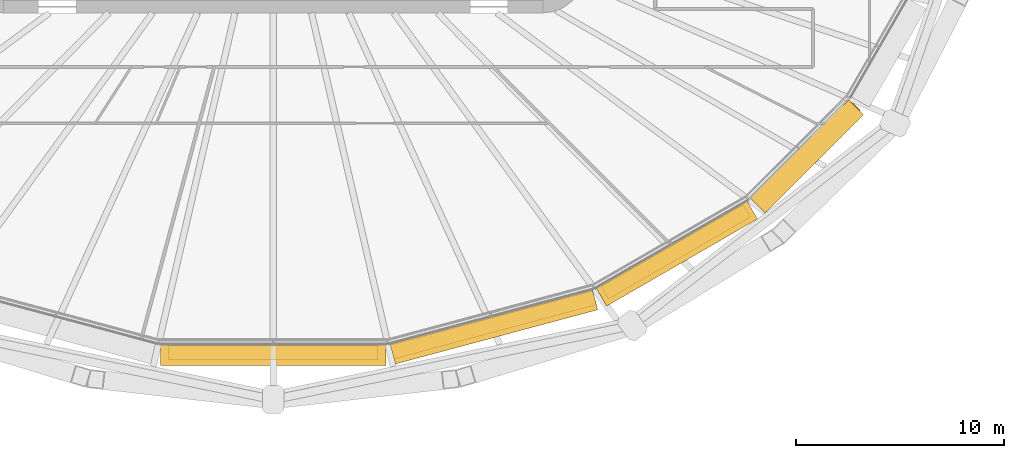
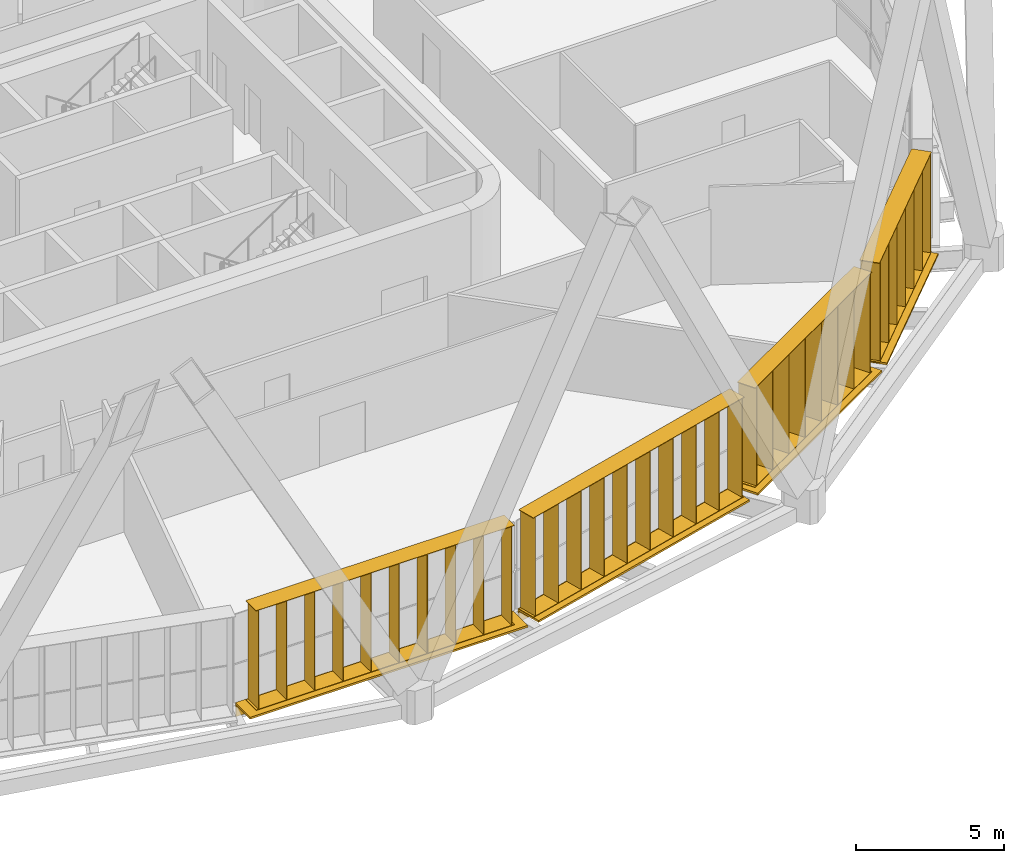
# One storey, part 22 of 25: 8 shading devices.
"""IFC4 building model written with IfcOpenShell, lengths in metres."""

from ifc_helpers import new_model, si_unit, direction, frame, origin, origin_2d, place, context, subcontext, project, spatial, rectangle, extrude, material, type_object, element, save


model = new_model("IFC4")

# Units and contexts
model_context = context("Model", 3, precision=1e-05, world=origin(), true_north=direction((0.0, 1.0)))
body_context = subcontext(model_context, "Body", "Model", "MODEL_VIEW")
ifc_project = project(units=[si_unit("LENGTHUNIT", "METRE"), si_unit("AREAUNIT", "SQUARE_METRE"), si_unit("VOLUMEUNIT", "CUBIC_METRE"), si_unit("PLANEANGLEUNIT", "RADIAN"), si_unit("MASSUNIT", "GRAM", prefix="KILO")], contexts=[model_context])

# Site, building, storey
site_placement = place(None, origin())
site = spatial("IfcSite", under=ifc_project, at=site_placement, CompositionType="ELEMENT")
building_placement = place(site_placement, origin())
building = spatial("IfcBuilding", under=site, at=building_placement, Name="Sahrelin Media Tower", CompositionType="ELEMENT")
storey_placement = place(building_placement, frame((0.0, 0.0, 114.60009765625)))
storey = spatial("IfcBuildingStorey", under=building, at=storey_placement, Name="L22", CompositionType="ELEMENT", Elevation=114.60009765625)

# Shading devices
ifc_material = material(Name="Champagne anodised aluminium 6063-T6", Category="aluminium")
shading_device_type_1 = type_object("IfcShadingDeviceType", Name="Fin cassette", PredefinedType="USERDEFINED", material=ifc_material)
placement_1 = place(storey_placement, frame((0.0, -23.955078125, 0.0), z_axis=(0.0, 0.0, 1.0), x_axis=(-1.0, 0.0, 0.0)))
element("IfcShadingDevice", 1, at=placement_1, inside=storey, type_object=shading_device_type_1, Name="L22:FIN:L22-18", ObjectType="FIN", PredefinedType="USERDEFINED", context=body_context, shape_type="SweptSolid", body=[
    extrude(rectangle(XDim=10.10009765625, YDim=0.699951171875, at=origin_2d()), frame((0.0, 0.419921875, 0.0)), (0.0, 0.0, 1.0), 0.02001953125),
    extrude(rectangle(XDim=10.10009765625, YDim=0.699951171875, at=origin_2d()), frame((0.0, 0.419921875, 4.10009765625)), (0.0, 0.0, 1.0), 0.02001953125),
    extrude(rectangle(XDim=0.02001953125, YDim=0.699951171875, at=origin_2d()), frame((-4.949951171875, 0.419921875, 0.010009765625), z_axis=(0.0, 0.0, 1.0), x_axis=(1.0, 0.0, 0.0)), (0.0, 0.0, 1.0), 4.10009765625),
    extrude(rectangle(XDim=0.02001953125, YDim=0.699951171875, at=origin_2d()), frame((-3.85009765625, 0.419921875, 0.010009765625), z_axis=(0.0, 0.0, 1.0), x_axis=(1.0, 0.0, 0.0)), (0.0, 0.0, 1.0), 4.10009765625),
    extrude(rectangle(XDim=0.02001953125, YDim=0.699951171875, at=origin_2d()), frame((-2.75, 0.419921875, 0.010009765625), z_axis=(0.0, 0.0, 1.0), x_axis=(1.0, 0.0, 0.0)), (0.0, 0.0, 1.0), 4.10009765625),
    extrude(rectangle(XDim=0.02001953125, YDim=0.699951171875, at=origin_2d()), frame((-1.64990234375, 0.419921875, 0.010009765625), z_axis=(0.0, 0.0, 1.0), x_axis=(1.0, 0.0, 0.0)), (0.0, 0.0, 1.0), 4.10009765625),
    extrude(rectangle(XDim=0.02001953125, YDim=0.699951171875, at=origin_2d()), frame((-0.550048828125, 0.419921875, 0.010009765625), z_axis=(0.0, 0.0, 1.0), x_axis=(1.0, 0.0, 0.0)), (0.0, 0.0, 1.0), 4.10009765625),
    extrude(rectangle(XDim=0.02001953125, YDim=0.699951171875, at=origin_2d()), frame((0.550048828125, 0.419921875, 0.010009765625), z_axis=(0.0, 0.0, 1.0), x_axis=(1.0, 0.0, 0.0)), (0.0, 0.0, 1.0), 4.10009765625),
    extrude(rectangle(XDim=0.02001953125, YDim=0.699951171875, at=origin_2d()), frame((1.64990234375, 0.419921875, 0.010009765625), z_axis=(0.0, 0.0, 1.0), x_axis=(1.0, 0.0, 0.0)), (0.0, 0.0, 1.0), 4.10009765625),
    extrude(rectangle(XDim=0.02001953125, YDim=0.699951171875, at=origin_2d()), frame((2.75, 0.419921875, 0.010009765625), z_axis=(0.0, 0.0, 1.0), x_axis=(1.0, 0.0, 0.0)), (0.0, 0.0, 1.0), 4.10009765625),
    extrude(rectangle(XDim=0.02001953125, YDim=0.699951171875, at=origin_2d()), frame((3.85009765625, 0.419921875, 0.010009765625), z_axis=(0.0, 0.0, 1.0), x_axis=(1.0, 0.0, 0.0)), (0.0, 0.0, 1.0), 4.10009765625),
    extrude(rectangle(XDim=0.02001953125, YDim=0.699951171875, at=origin_2d()), frame((4.949951171875, 0.419921875, 0.010009765625), z_axis=(0.0, 0.0, 1.0), x_axis=(1.0, 0.0, 0.0)), (0.0, 0.0, 1.0), 4.10009765625),
])
placement_2 = place(storey_placement, frame((10.498046875, -22.622802734375, 0.0), z_axis=(0.0, 0.0, 1.0), x_axis=(-0.965928857556, -0.258807731996, 0.0)))
element("IfcShadingDevice", 2, at=placement_2, inside=storey, type_object=shading_device_type_1, Name="L22:FIN:L22-19", ObjectType="FIN", PredefinedType="USERDEFINED", context=body_context, shape_type="SweptSolid", body=[
    extrude(rectangle(XDim=10.10009765625, YDim=0.699951171875, at=origin_2d()), frame((0.0, 0.419921875, 0.0)), (0.0, 0.0, 1.0), 0.02001953125),
    extrude(rectangle(XDim=10.10009765625, YDim=0.699951171875, at=origin_2d()), frame((0.0, 0.419921875, 4.10009765625)), (0.0, 0.0, 1.0), 0.02001953125),
    extrude(rectangle(XDim=0.02001953125, YDim=0.699951171875, at=origin_2d()), frame((-4.949951171875, 0.419921875, 0.010009765625), z_axis=(0.0, 0.0, 1.0), x_axis=(1.0, 0.0, 0.0)), (0.0, 0.0, 1.0), 4.10009765625),
    extrude(rectangle(XDim=0.02001953125, YDim=0.699951171875, at=origin_2d()), frame((-3.85009765625, 0.419921875, 0.010009765625), z_axis=(0.0, 0.0, 1.0), x_axis=(1.0, 0.0, 0.0)), (0.0, 0.0, 1.0), 4.10009765625),
    extrude(rectangle(XDim=0.02001953125, YDim=0.699951171875, at=origin_2d()), frame((-2.75, 0.419921875, 0.010009765625), z_axis=(0.0, 0.0, 1.0), x_axis=(1.0, 0.0, 0.0)), (0.0, 0.0, 1.0), 4.10009765625),
    extrude(rectangle(XDim=0.02001953125, YDim=0.699951171875, at=origin_2d()), frame((-1.64990234375, 0.419921875, 0.010009765625), z_axis=(0.0, 0.0, 1.0), x_axis=(1.0, 0.0, 0.0)), (0.0, 0.0, 1.0), 4.10009765625),
    extrude(rectangle(XDim=0.02001953125, YDim=0.699951171875, at=origin_2d()), frame((-0.550048828125, 0.419921875, 0.010009765625), z_axis=(0.0, 0.0, 1.0), x_axis=(1.0, 0.0, 0.0)), (0.0, 0.0, 1.0), 4.10009765625),
    extrude(rectangle(XDim=0.02001953125, YDim=0.699951171875, at=origin_2d()), frame((0.550048828125, 0.419921875, 0.010009765625), z_axis=(0.0, 0.0, 1.0), x_axis=(1.0, 0.0, 0.0)), (0.0, 0.0, 1.0), 4.10009765625),
    extrude(rectangle(XDim=0.02001953125, YDim=0.699951171875, at=origin_2d()), frame((1.64990234375, 0.419921875, 0.010009765625), z_axis=(0.0, 0.0, 1.0), x_axis=(1.0, 0.0, 0.0)), (0.0, 0.0, 1.0), 4.10009765625),
    extrude(rectangle(XDim=0.02001953125, YDim=0.699951171875, at=origin_2d()), frame((2.75, 0.419921875, 0.010009765625), z_axis=(0.0, 0.0, 1.0), x_axis=(1.0, 0.0, 0.0)), (0.0, 0.0, 1.0), 4.10009765625),
    extrude(rectangle(XDim=0.02001953125, YDim=0.699951171875, at=origin_2d()), frame((3.85009765625, 0.419921875, 0.010009765625), z_axis=(0.0, 0.0, 1.0), x_axis=(1.0, 0.0, 0.0)), (0.0, 0.0, 1.0), 4.10009765625),
    extrude(rectangle(XDim=0.02001953125, YDim=0.699951171875, at=origin_2d()), frame((4.949951171875, 0.419921875, 0.010009765625), z_axis=(0.0, 0.0, 1.0), x_axis=(1.0, 0.0, 0.0)), (0.0, 0.0, 1.0), 4.10009765625),
])
placement_3 = place(storey_placement, frame((19.190673828125, -19.142578125, 0.0), z_axis=(0.0, 0.0, 1.0), x_axis=(-0.866019052629, -0.500011000363, 0.0)))
element("IfcShadingDevice", 3, at=placement_3, inside=storey, type_object=shading_device_type_1, Name="L22:FIN:L22-20", ObjectType="FIN", PredefinedType="USERDEFINED", context=body_context, shape_type="SweptSolid", body=[
    extrude(rectangle(XDim=7.89990234375, YDim=0.699951171875, at=origin_2d()), frame((0.0, 0.419921875, 0.0)), (0.0, 0.0, 1.0), 0.02001953125),
    extrude(rectangle(XDim=7.89990234375, YDim=0.699951171875, at=origin_2d()), frame((0.0, 0.419921875, 4.10009765625)), (0.0, 0.0, 1.0), 0.02001953125),
    extrude(rectangle(XDim=0.02001953125, YDim=0.699951171875, at=origin_2d()), frame((-3.85009765625, 0.419921875, 0.010009765625), z_axis=(0.0, 0.0, 1.0), x_axis=(1.0, 0.0, 0.0)), (0.0, 0.0, 1.0), 4.10009765625),
    extrude(rectangle(XDim=0.02001953125, YDim=0.699951171875, at=origin_2d()), frame((-2.75, 0.419921875, 0.010009765625), z_axis=(0.0, 0.0, 1.0), x_axis=(1.0, 0.0, 0.0)), (0.0, 0.0, 1.0), 4.10009765625),
    extrude(rectangle(XDim=0.02001953125, YDim=0.699951171875, at=origin_2d()), frame((-1.64990234375, 0.419921875, 0.010009765625), z_axis=(0.0, 0.0, 1.0), x_axis=(1.0, 0.0, 0.0)), (0.0, 0.0, 1.0), 4.10009765625),
    extrude(rectangle(XDim=0.02001953125, YDim=0.699951171875, at=origin_2d()), frame((-0.550048828125, 0.419921875, 0.010009765625), z_axis=(0.0, 0.0, 1.0), x_axis=(1.0, 0.0, 0.0)), (0.0, 0.0, 1.0), 4.10009765625),
    extrude(rectangle(XDim=0.02001953125, YDim=0.699951171875, at=origin_2d()), frame((0.550048828125, 0.419921875, 0.010009765625), z_axis=(0.0, 0.0, 1.0), x_axis=(1.0, 0.0, 0.0)), (0.0, 0.0, 1.0), 4.10009765625),
    extrude(rectangle(XDim=0.02001953125, YDim=0.699951171875, at=origin_2d()), frame((1.64990234375, 0.419921875, 0.010009765625), z_axis=(0.0, 0.0, 1.0), x_axis=(1.0, 0.0, 0.0)), (0.0, 0.0, 1.0), 4.10009765625),
    extrude(rectangle(XDim=0.02001953125, YDim=0.699951171875, at=origin_2d()), frame((2.75, 0.419921875, 0.010009765625), z_axis=(0.0, 0.0, 1.0), x_axis=(1.0, 0.0, 0.0)), (0.0, 0.0, 1.0), 4.10009765625),
    extrude(rectangle(XDim=0.02001953125, YDim=0.699951171875, at=origin_2d()), frame((3.85009765625, 0.419921875, 0.010009765625), z_axis=(0.0, 0.0, 1.0), x_axis=(1.0, 0.0, 0.0)), (0.0, 0.0, 1.0), 4.10009765625),
])
placement_4 = place(storey_placement, frame((25.348876953125, -14.556884765625, 0.0), z_axis=(0.0, 0.0, 1.0), x_axis=(-0.707106781187, -0.707106781187, 0.0)))
element("IfcShadingDevice", 4, at=placement_4, inside=storey, type_object=shading_device_type_1, Name="L22:FIN:L22-21", ObjectType="FIN", PredefinedType="USERDEFINED", context=body_context, shape_type="SweptSolid", body=[
    extrude(rectangle(XDim=6.800048828125, YDim=0.699951171875, at=origin_2d()), frame((0.0, 0.419921875, 0.0)), (0.0, 0.0, 1.0), 0.02001953125),
    extrude(rectangle(XDim=6.800048828125, YDim=0.699951171875, at=origin_2d()), frame((0.0, 0.419921875, 4.10009765625)), (0.0, 0.0, 1.0), 0.02001953125),
    extrude(rectangle(XDim=0.02001953125, YDim=0.699951171875, at=origin_2d()), frame((-3.300048828125, 0.419921875, 0.010009765625), z_axis=(0.0, 0.0, 1.0), x_axis=(1.0, 0.0, 0.0)), (0.0, 0.0, 1.0), 4.10009765625),
    extrude(rectangle(XDim=0.02001953125, YDim=0.699951171875, at=origin_2d()), frame((-2.199951171875, 0.419921875, 0.010009765625), z_axis=(0.0, 0.0, 1.0), x_axis=(1.0, 0.0, 0.0)), (0.0, 0.0, 1.0), 4.10009765625),
    extrude(rectangle(XDim=0.02001953125, YDim=0.699951171875, at=origin_2d()), frame((-1.10009765625, 0.419921875, 0.010009765625), z_axis=(0.0, 0.0, 1.0), x_axis=(1.0, 0.0, 0.0)), (0.0, 0.0, 1.0), 4.10009765625),
    extrude(rectangle(XDim=0.02001953125, YDim=0.699951171875, at=origin_2d()), frame((0.0, 0.419921875, 0.010009765625), z_axis=(0.0, 0.0, 1.0), x_axis=(1.0, 0.0, 0.0)), (0.0, 0.0, 1.0), 4.10009765625),
    extrude(rectangle(XDim=0.02001953125, YDim=0.699951171875, at=origin_2d()), frame((1.10009765625, 0.419921875, 0.010009765625), z_axis=(0.0, 0.0, 1.0), x_axis=(1.0, 0.0, 0.0)), (0.0, 0.0, 1.0), 4.10009765625),
    extrude(rectangle(XDim=0.02001953125, YDim=0.699951171875, at=origin_2d()), frame((2.199951171875, 0.419921875, 0.010009765625), z_axis=(0.0, 0.0, 1.0), x_axis=(1.0, 0.0, 0.0)), (0.0, 0.0, 1.0), 4.10009765625),
    extrude(rectangle(XDim=0.02001953125, YDim=0.699951171875, at=origin_2d()), frame((3.300048828125, 0.419921875, 0.010009765625), z_axis=(0.0, 0.0, 1.0), x_axis=(1.0, 0.0, 0.0)), (0.0, 0.0, 1.0), 4.10009765625),
])
shading_device_type_2 = type_object("IfcShadingDeviceType", Name="Sunshade band", PredefinedType="USERDEFINED", material=ifc_material)
element("IfcShadingDevice", 5, at=placement_1, inside=storey, type_object=shading_device_type_2, Name="L22:SUN:L22-18", ObjectType="SUNSHADE", PredefinedType="USERDEFINED", context=body_context, shape_type="SweptSolid", body=[
    extrude(rectangle(XDim=10.852294921875, YDim=0.050048828125, at=origin_2d()), frame((0.0, 0.044921875, -0.55126953125)), (0.0, 0.0, 1.0), 0.471435546875),
    extrude(rectangle(XDim=10.852294921875, YDim=1.0, at=origin_2d()), frame((0.0, 0.52001953125, -0.080078125)), (0.0, 0.0, 1.0), 0.080078125),
    extrude(rectangle(XDim=0.10009765625, YDim=0.074951171875, at=origin_2d()), frame((-5.326171875, -0.017578125, -0.47021484375)), (0.0, 0.0, 1.0), 0.300048828125),
    extrude(rectangle(XDim=0.10009765625, YDim=0.074951171875, at=origin_2d()), frame((-3.55078125, -0.017578125, -0.47021484375)), (0.0, 0.0, 1.0), 0.300048828125),
    extrude(rectangle(XDim=0.10009765625, YDim=0.074951171875, at=origin_2d()), frame((-1.775390625, -0.017578125, -0.47021484375)), (0.0, 0.0, 1.0), 0.300048828125),
    extrude(rectangle(XDim=0.10009765625, YDim=0.074951171875, at=origin_2d()), frame((0.0, -0.017578125, -0.47021484375)), (0.0, 0.0, 1.0), 0.300048828125),
    extrude(rectangle(XDim=0.10009765625, YDim=0.074951171875, at=origin_2d()), frame((1.775390625, -0.017578125, -0.47021484375)), (0.0, 0.0, 1.0), 0.300048828125),
    extrude(rectangle(XDim=0.10009765625, YDim=0.074951171875, at=origin_2d()), frame((3.55078125, -0.017578125, -0.47021484375)), (0.0, 0.0, 1.0), 0.300048828125),
    extrude(rectangle(XDim=0.10009765625, YDim=0.074951171875, at=origin_2d()), frame((5.326171875, -0.017578125, -0.47021484375)), (0.0, 0.0, 1.0), 0.300048828125),
])
element("IfcShadingDevice", 6, at=placement_2, inside=storey, type_object=shading_device_type_2, Name="L22:SUN:L22-19", ObjectType="SUNSHADE", PredefinedType="USERDEFINED", context=body_context, shape_type="SweptSolid", body=[
    extrude(rectangle(XDim=10.0947265625, YDim=0.050048828125, at=origin_2d()), frame((0.0, 0.044921875, -0.55126953125)), (0.0, 0.0, 1.0), 0.471435546875),
    extrude(rectangle(XDim=10.0947265625, YDim=1.0, at=origin_2d()), frame((0.0, 0.52001953125, -0.080078125)), (0.0, 0.0, 1.0), 0.080078125),
    extrude(rectangle(XDim=0.10009765625, YDim=0.074951171875, at=origin_2d()), frame((-4.947509765625, -0.017578125, -0.47021484375)), (0.0, 0.0, 1.0), 0.300048828125),
    extrude(rectangle(XDim=0.10009765625, YDim=0.074951171875, at=origin_2d()), frame((-3.29833984375, -0.017578125, -0.47021484375)), (0.0, 0.0, 1.0), 0.300048828125),
    extrude(rectangle(XDim=0.10009765625, YDim=0.074951171875, at=origin_2d()), frame((-1.649169921875, -0.017578125, -0.47021484375)), (0.0, 0.0, 1.0), 0.300048828125),
    extrude(rectangle(XDim=0.10009765625, YDim=0.074951171875, at=origin_2d()), frame((0.0, -0.017578125, -0.47021484375)), (0.0, 0.0, 1.0), 0.300048828125),
    extrude(rectangle(XDim=0.10009765625, YDim=0.074951171875, at=origin_2d()), frame((1.649169921875, -0.017578125, -0.47021484375)), (0.0, 0.0, 1.0), 0.300048828125),
    extrude(rectangle(XDim=0.10009765625, YDim=0.074951171875, at=origin_2d()), frame((3.29833984375, -0.017578125, -0.47021484375)), (0.0, 0.0, 1.0), 0.300048828125),
    extrude(rectangle(XDim=0.10009765625, YDim=0.074951171875, at=origin_2d()), frame((4.947509765625, -0.017578125, -0.47021484375)), (0.0, 0.0, 1.0), 0.300048828125),
])
element("IfcShadingDevice", 7, at=placement_3, inside=storey, type_object=shading_device_type_2, Name="L22:SUN:L22-20", ObjectType="SUNSHADE", PredefinedType="USERDEFINED", context=body_context, shape_type="SweptSolid", body=[
    extrude(rectangle(XDim=8.39208984375, YDim=0.050048828125, at=origin_2d()), frame((0.0, 0.044921875, -0.55126953125)), (0.0, 0.0, 1.0), 0.471435546875),
    extrude(rectangle(XDim=8.39208984375, YDim=1.0, at=origin_2d()), frame((0.0, 0.52001953125, -0.080078125)), (0.0, 0.0, 1.0), 0.080078125),
    extrude(rectangle(XDim=0.10009765625, YDim=0.074951171875, at=origin_2d()), frame((-4.09619140625, -0.017578125, -0.47021484375)), (0.0, 0.0, 1.0), 0.300048828125),
    extrude(rectangle(XDim=0.10009765625, YDim=0.074951171875, at=origin_2d()), frame((-2.457763671875, -0.017578125, -0.47021484375)), (0.0, 0.0, 1.0), 0.300048828125),
    extrude(rectangle(XDim=0.10009765625, YDim=0.074951171875, at=origin_2d()), frame((-0.819091796875, -0.017578125, -0.47021484375)), (0.0, 0.0, 1.0), 0.300048828125),
    extrude(rectangle(XDim=0.10009765625, YDim=0.074951171875, at=origin_2d()), frame((0.819091796875, -0.017578125, -0.47021484375)), (0.0, 0.0, 1.0), 0.300048828125),
    extrude(rectangle(XDim=0.10009765625, YDim=0.074951171875, at=origin_2d()), frame((2.457763671875, -0.017578125, -0.47021484375)), (0.0, 0.0, 1.0), 0.300048828125),
    extrude(rectangle(XDim=0.10009765625, YDim=0.074951171875, at=origin_2d()), frame((4.09619140625, -0.017578125, -0.47021484375)), (0.0, 0.0, 1.0), 0.300048828125),
])
element("IfcShadingDevice", 8, at=placement_4, inside=storey, type_object=shading_device_type_2, Name="L22:SUN:L22-21", ObjectType="SUNSHADE", PredefinedType="USERDEFINED", context=body_context, shape_type="SweptSolid", body=[
    extrude(rectangle(XDim=6.695068359375, YDim=0.050048828125, at=origin_2d()), frame((0.0, 0.044921875, -0.55126953125)), (0.0, 0.0, 1.0), 0.471435546875),
    extrude(rectangle(XDim=6.695068359375, YDim=1.0, at=origin_2d()), frame((0.0, 0.52001953125, -0.080078125)), (0.0, 0.0, 1.0), 0.080078125),
    extrude(rectangle(XDim=0.10009765625, YDim=0.074951171875, at=origin_2d()), frame((-3.24755859375, -0.017578125, -0.47021484375)), (0.0, 0.0, 1.0), 0.300048828125),
    extrude(rectangle(XDim=0.10009765625, YDim=0.074951171875, at=origin_2d()), frame((-1.623779296875, -0.017578125, -0.47021484375)), (0.0, 0.0, 1.0), 0.300048828125),
    extrude(rectangle(XDim=0.10009765625, YDim=0.074951171875, at=origin_2d()), frame((0.0, -0.017578125, -0.47021484375)), (0.0, 0.0, 1.0), 0.300048828125),
    extrude(rectangle(XDim=0.10009765625, YDim=0.074951171875, at=origin_2d()), frame((1.623779296875, -0.017578125, -0.47021484375)), (0.0, 0.0, 1.0), 0.300048828125),
    extrude(rectangle(XDim=0.10009765625, YDim=0.074951171875, at=origin_2d()), frame((3.24755859375, -0.017578125, -0.47021484375)), (0.0, 0.0, 1.0), 0.300048828125),
])

save(model, "model.ifc")
